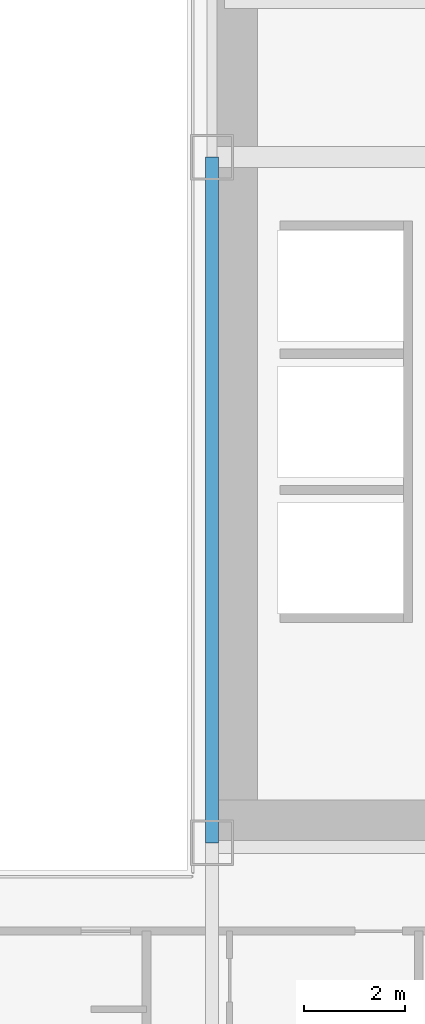
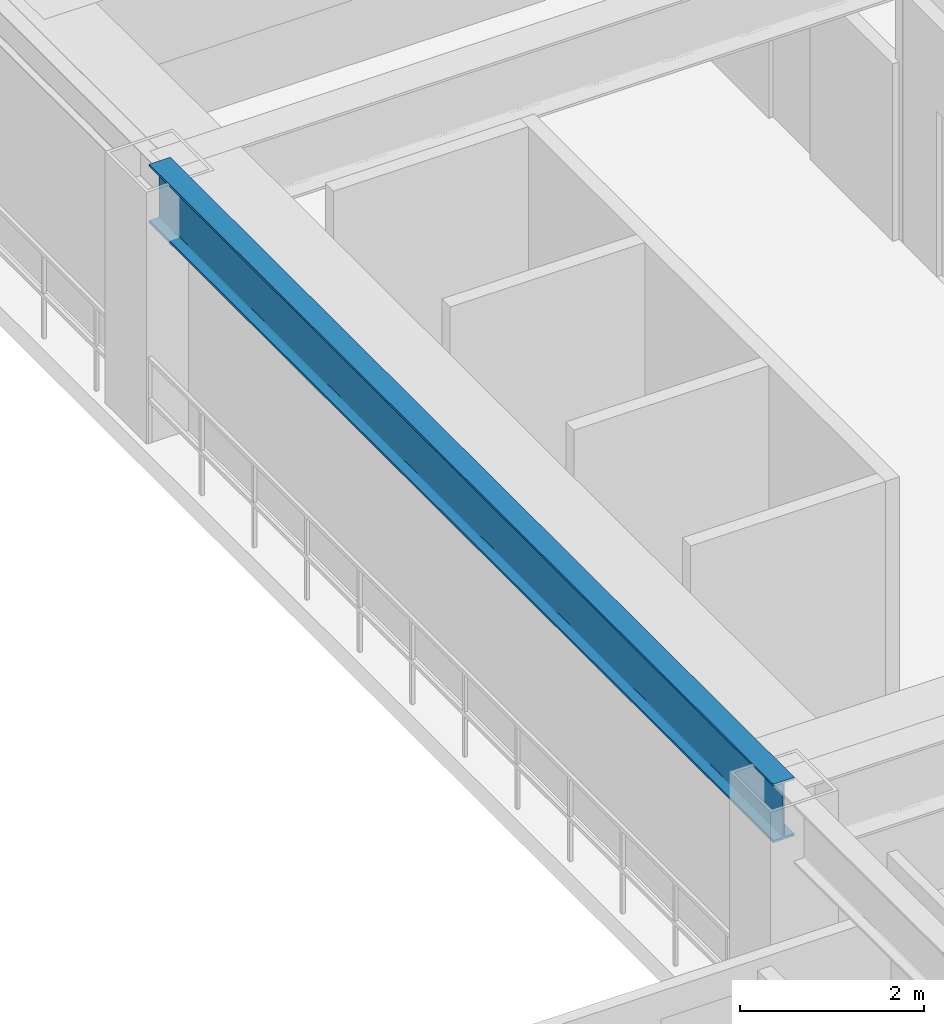
# One storey, part 12 of 35: 1 beam.
"""IFC4 building model written with IfcOpenShell, lengths in metres."""

from ifc_helpers import new_model, si_unit, direction, frame, origin, origin_2d, place, context, subcontext, project, spatial, i_section, extrude, source, transform, mapped, material, material_profile, profile_set, type_object, element, save


model = new_model("IFC4")

# Units and contexts
model_context = context("Model", 3, precision=1e-05, world=origin(), true_north=direction((0.0, 1.0)))
body_context = subcontext(model_context, "Body", "Model", "MODEL_VIEW")
ifc_project = project(units=[si_unit("LENGTHUNIT", "METRE"), si_unit("AREAUNIT", "SQUARE_METRE"), si_unit("VOLUMEUNIT", "CUBIC_METRE"), si_unit("PLANEANGLEUNIT", "RADIAN"), si_unit("MASSUNIT", "GRAM", prefix="KILO")], contexts=[model_context])

# Site, building, storey
site_placement = place(None, origin())
site = spatial("IfcSite", under=ifc_project, at=site_placement, CompositionType="ELEMENT")
building_placement = place(site_placement, origin())
building = spatial("IfcBuilding", under=site, at=building_placement, Name="Ocotamira Hotel", CompositionType="ELEMENT")
storey_placement = place(building_placement, frame((0.0, 0.0, 56.39990234375)))
storey = spatial("IfcBuildingStorey", under=building, at=storey_placement, Name="L13", CompositionType="ELEMENT", Elevation=56.39990234375)

# Beam
ifc_material = material(Name="Steel ASTM A992 Grade 50", Category="steel")
ifc_material_profile = material_profile(ifc_material, i_section(OverallWidth=0.26611328125, OverallDepth=0.779052734375, WebThickness=0.0166015625, FlangeThickness=0.030029296875, FilletRadius=0.01806640625, at=origin_2d()), Name="W30X148")
ifc_profile_set = profile_set([ifc_material_profile], Name="Steel ASTM A992 Grade 50")
beam_type = type_object("IfcBeamType", Name="BM-GIRD-W30X148", PredefinedType="BEAM", material=ifc_profile_set)
shared_shape = source(origin(), body_context, "Body", "SweptSolid", [
    extrude(i_section(OverallWidth=0.26611328125, OverallDepth=0.779052734375, WebThickness=0.0166015625, FlangeThickness=0.030029296875, FilletRadius=0.01806640625, at=origin_2d()), origin(), (0.0, 0.0, 1.0), 13.599853515625),
])
beam_placement = place(storey_placement, frame((40.5, 14.550048828125, 2.960693359375), z_axis=(0.0, 1.0, 0.0), x_axis=(-1.0, 0.0, 0.0)))
element("IfcBeam", 1, at=beam_placement, inside=storey, type_object=beam_type, Name="L13 Beam X40.5 Y14.55-28.15", PredefinedType="BEAM", context=body_context, shape_type="MappedRepresentation", body=[
    mapped(shared_shape, transform((0.0, 0.0, 0.0), scale=1.0)),
])

save(model, "model.ifc")
